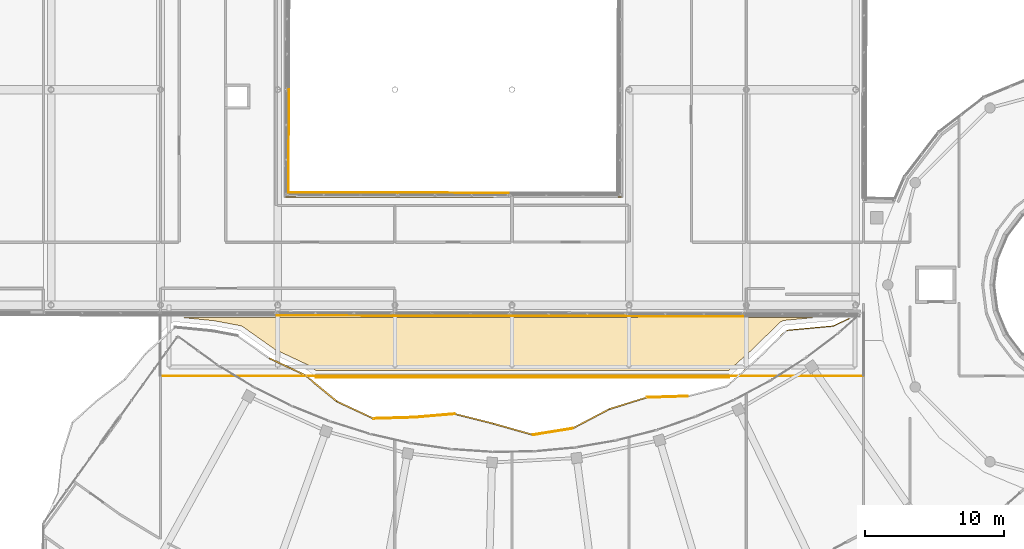
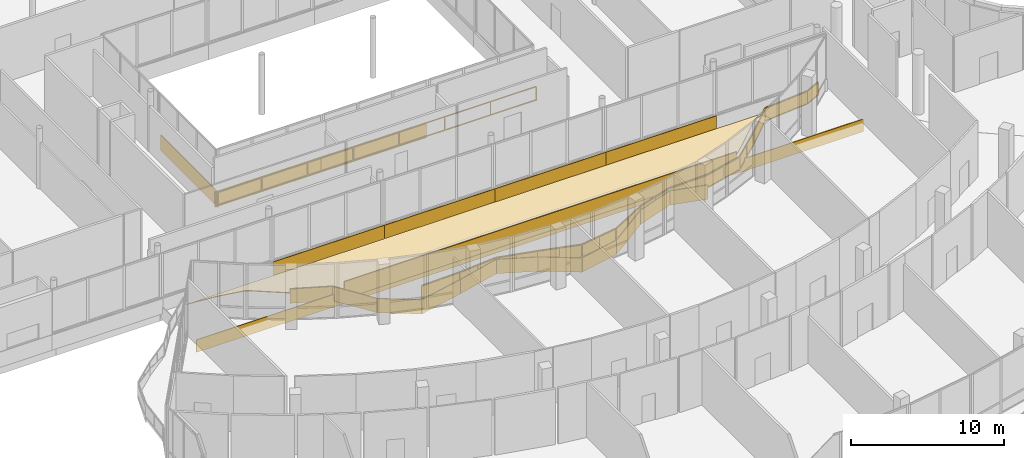
# One storey, part 157 of 168: 21 coverings, 2 railings.
"""IFC4 building model written with IfcOpenShell, lengths in metres."""

import ifcopenshell
import ifcopenshell.guid

model = None  # the IFC model being written
_history = None  # IfcOwnerHistory: only IFC2X3 demands one
_inside = {}  # id of a spatial element -> (the spatial element, [elements in it])
_under = {}  # id of a project, library or spatial element -> (it, [spatial elements below it])
_declared = {}  # id of a project -> (the project, [libraries it declares])
_typed = {}  # id of a type object -> (the type object, [elements of that type])
_made_of = {}  # id of a material, layer set ... -> (it, [elements and type objects made of it])


def new_model(schema):
    """Start an empty IFC model of exactly this schema.

    Asked for "IFC4X3", IfcOpenShell would pick the latest addendum, in which some entities
    have other attributes; the version numbers below select the first issue.
    IFC2X3 requires an IfcOwnerHistory on every rooted entity: one is made here for all.
    """
    global model, _history
    if schema == "IFC4X3":
        model = ifcopenshell.file(schema_version=(4, 3, 0, 0))
    else:
        model = ifcopenshell.file(schema=schema)
    _inside.clear()
    _under.clear()
    _declared.clear()
    _typed.clear()
    _made_of.clear()
    _history = None
    if model.schema == "IFC2X3":
        org = make("IfcOrganization", Name="unknown")
        user = make(
            "IfcPersonAndOrganization",
            ThePerson=make("IfcPerson", FamilyName="unknown"),
            TheOrganization=org,
        )
        app = make(
            "IfcApplication",
            ApplicationDeveloper=org,
            Version="unknown",
            ApplicationFullName="unknown",
            ApplicationIdentifier="unknown",
        )
        _history = make(
            "IfcOwnerHistory",
            OwningUser=user,
            OwningApplication=app,
            ChangeAction="ADDED",
            CreationDate=0,
        )
    return model


def make(cls, **values):
    """One entity of the class cls with the attributes given. An attribute that is None is left unset."""
    return model.create_entity(
        cls, **{name: value for name, value in values.items() if value is not None}
    )


def rooted(cls, **values):
    """An entity with a GlobalId (a new one), such as an element, a storey or a relation."""
    return make(cls, GlobalId=ifcopenshell.guid.new(), OwnerHistory=_history, **values)


def si_unit(unit_type, name, prefix=None):
    """IfcSIUnit, for example si_unit("LENGTHUNIT", "METRE", prefix="MILLI")."""
    return make("IfcSIUnit", UnitType=unit_type, Prefix=prefix, Name=name)


def assignment(units):
    """IfcUnitAssignment: the units of a project."""
    return None if units is None else make("IfcUnitAssignment", Units=units)


def point(xyz):
    """IfcCartesianPoint."""
    return None if xyz is None else make("IfcCartesianPoint", Coordinates=xyz)


def direction(xyz):
    """IfcDirection."""
    return None if xyz is None else make("IfcDirection", DirectionRatios=xyz)


def frame(location, z_axis=None, x_axis=None):
    """IfcAxis2Placement3D, a coordinate frame: its origin and axes. An axis left out is left unset."""
    return make(
        "IfcAxis2Placement3D",
        Location=point(location),
        Axis=direction(z_axis),
        RefDirection=direction(x_axis),
    )


def frame_2d(location, x_axis=None):
    """IfcAxis2Placement2D, a coordinate frame in the plane: its origin and x axis."""
    return make(
        "IfcAxis2Placement2D", Location=point(location), RefDirection=direction(x_axis)
    )


def origin():
    """The frame at (0, 0, 0) with its axes left unset."""
    return frame((0.0, 0.0, 0.0))


def origin_2d():
    """The frame at (0, 0) in the plane with its x axis left unset."""
    return frame_2d((0.0, 0.0))


def place(relative_to, where):
    """IfcLocalPlacement: puts the frame where relative to a parent placement (None: the world)."""
    return make(
        "IfcLocalPlacement", PlacementRelTo=relative_to, RelativePlacement=where
    )


def context(
    kind, dimensions, precision=None, world=None, true_north=None, identifier=None
):
    """IfcGeometricRepresentationContext, for example the 3D "Model" context."""
    return make(
        "IfcGeometricRepresentationContext",
        ContextIdentifier=identifier,
        ContextType=kind,
        CoordinateSpaceDimension=dimensions,
        Precision=precision,
        WorldCoordinateSystem=world,
        TrueNorth=true_north,
    )


def subcontext(parent, identifier, kind, view, scale=None):
    """IfcGeometricRepresentationSubContext, for example "Body" below "Model"."""
    return make(
        "IfcGeometricRepresentationSubContext",
        ContextIdentifier=identifier,
        ContextType=kind,
        ParentContext=parent,
        TargetScale=scale,
        TargetView=view,
    )


def project(units=None, contexts=None):
    """IfcProject with its units and contexts."""
    return rooted(
        "IfcProject",
        Name="project",
        RepresentationContexts=contexts,
        UnitsInContext=assignment(units),
    )


def spatial(cls, under=None, at=None, **own):
    """A site, building, storey or space (cls), placed at a placement, below another one or the project."""
    s = rooted(cls, ObjectPlacement=at, **own)
    if under is not None:
        _under.setdefault(under.id(), (under, []))[1].append(s)
    return s


def polyline(points):
    """IfcPolyline through the points."""
    return make("IfcPolyline", Points=[point(p) for p in points])


def profile(cls, at=None, kind="AREA", **sizes):
    """A parametric profile (cls). Its sizes go by their IFC names, for example OverallWidth=200.0."""
    return make(cls, ProfileType=kind, Position=at, **sizes)


def rectangle(**sizes):
    """IfcRectangleProfileDef."""
    return profile("IfcRectangleProfileDef", **sizes)


def outline(outer, holes=None, kind="AREA"):
    """IfcArbitraryClosedProfileDef: a profile drawn as a closed curve; with holes, ...WithVoids."""
    if holes is None:
        return make("IfcArbitraryClosedProfileDef", ProfileType=kind, OuterCurve=outer)
    return make(
        "IfcArbitraryProfileDefWithVoids",
        ProfileType=kind,
        OuterCurve=outer,
        InnerCurves=holes,
    )


def extrude(swept, where, along, depth):
    """IfcExtrudedAreaSolid: the profile swept, set in the frame where, extruded along a direction by depth."""
    return make(
        "IfcExtrudedAreaSolid",
        SweptArea=swept,
        Position=where,
        ExtrudedDirection=direction(along),
        Depth=depth,
    )


def shape(context_of_items, identifier, shape_type, items):
    """IfcShapeRepresentation: the items that make up one representation, for example the "Body"."""
    return make(
        "IfcShapeRepresentation",
        ContextOfItems=context_of_items,
        RepresentationIdentifier=identifier,
        RepresentationType=shape_type,
        Items=items,
    )


def material(Name=None, Category=None):
    """IfcMaterial."""
    return make("IfcMaterial", Name=Name, Category=Category)


def layer(
    of_material, thickness, ventilated=None, Name=None, Category=None, Priority=None
):
    """IfcMaterialLayer: one layer of a wall or slab, of a material (None: an air gap)."""
    return make(
        "IfcMaterialLayer",
        Material=of_material,
        LayerThickness=thickness,
        IsVentilated=ventilated,
        Name=Name,
        Category=Category,
        Priority=Priority,
    )


def layer_set(layers, Name=None):
    """IfcMaterialLayerSet."""
    return make("IfcMaterialLayerSet", MaterialLayers=layers, LayerSetName=Name)


def made_of(thing, what):
    """Note that an element or type object is made of a material, layer set ...; save() writes the relation."""
    if what is not None:
        _made_of.setdefault(what.id(), (what, []))[1].append(thing)
    return thing


def type_object(cls, material=None, **own):
    """A type object (cls), such as IfcWallType, which elements share."""
    return made_of(rooted(cls, **own), material)


def element(
    cls,
    number,
    at=None,
    inside=None,
    cuts=None,
    type_object=None,
    material=None,
    context=None,
    identifier="Body",
    shape_type=None,
    held_by="IfcProductDefinitionShape",
    body=None,
    shapes=None,
    **own,
):
    """One element of the class cls, such as IfcWall. Its Tag is "e" and its number.

    at: its placement. inside: the storey or other place that contains it. cuts: it is an
    opening in that element (IfcRelVoidsElement). A single representation is given by context,
    identifier, shape_type and body (its items); several are given by shapes. held_by: the class
    of the entity that holds the representations. save() writes the other relations.
    """
    e = rooted(cls, Tag="e%d" % number, ObjectPlacement=at, **own)
    if body is not None:
        shapes = [shape(context, identifier, shape_type, body)]
    if shapes is not None:
        e.Representation = make(held_by, Representations=shapes)
    if inside is not None:
        _inside.setdefault(inside.id(), (inside, []))[1].append(e)
    if cuts is not None:
        rooted(
            "IfcRelVoidsElement", RelatingBuildingElement=cuts, RelatedOpeningElement=e
        )
    if type_object is not None:
        _typed.setdefault(type_object.id(), (type_object, []))[1].append(e)
    return made_of(e, material)


def aggregate(whole, parts):
    """IfcRelAggregates: a whole, such as a stair, and the parts it consists of."""
    return rooted("IfcRelAggregates", RelatingObject=whole, RelatedObjects=parts)


def save(model, path):
    """Write the relations noted so far, then the file.

    IfcRelAggregates (storeys below a building ...), IfcRelContainedInSpatialStructure (elements
    in a storey), IfcRelDefinesByType, IfcRelAssociatesMaterial and IfcRelDeclares: one each for
    every whole, place, type object, material and project.
    """
    for whole, parts in _under.values():
        aggregate(whole, parts)
    for where, things in _inside.values():
        rooted(
            "IfcRelContainedInSpatialStructure",
            RelatedElements=things,
            RelatingStructure=where,
        )
    for kind, things in _typed.values():
        rooted("IfcRelDefinesByType", RelatedObjects=things, RelatingType=kind)
    for what, things in _made_of.values():
        rooted("IfcRelAssociatesMaterial", RelatedObjects=things, RelatingMaterial=what)
    for by, libraries in _declared.values():
        rooted("IfcRelDeclares", RelatingContext=by, RelatedDefinitions=libraries)
    model.write(path)


model = new_model("IFC4")

# Units and contexts
model_context = context("Model", 3, precision=1e-05, world=origin(), true_north=direction((0.0, 1.0)))
body_context = subcontext(model_context, "Body", "Model", "MODEL_VIEW")
ifc_project = project(units=[si_unit("LENGTHUNIT", "METRE"), si_unit("AREAUNIT", "SQUARE_METRE"), si_unit("VOLUMEUNIT", "CUBIC_METRE"), si_unit("PLANEANGLEUNIT", "RADIAN"), si_unit("MASSUNIT", "GRAM", prefix="KILO")], contexts=[model_context])

# Site, building, storey
site_placement = place(None, origin())
site = spatial("IfcSite", under=ifc_project, at=site_placement, CompositionType="ELEMENT")
building_placement = place(site_placement, origin())
building = spatial("IfcBuilding", under=site, at=building_placement, Name="Selatvlak General Hospital", CompositionType="ELEMENT")
storey_placement = place(building_placement, frame((0.0, 0.0, 5.39990234375)))
storey = spatial("IfcBuildingStorey", under=building, at=storey_placement, Name="L01", CompositionType="ELEMENT", Elevation=5.39990234375)

# Coverings
ifc_material_1 = material(Name="PVDF aluminium fascia - ochre yellow", Category="aluminium")
ifc_layer_1 = layer(ifc_material_1, 0.070068359375, Name="PVDF aluminium fascia - ochre yellow", Category="aluminium")
ifc_layer_set_1 = layer_set([ifc_layer_1], Name="PVDF aluminium fascia - ochre yellow")
covering_type_1 = type_object("IfcCoveringType", Name="COV-RB-YEL", PredefinedType="CLADDING", material=ifc_layer_set_1)
covering_1_placement = place(storey_placement, frame((69.009033203125, 46.01904296875, -0.85693359375), z_axis=(0.0, 0.0, 1.0), x_axis=(-0.999512641406, -0.031216656931, 0.0)))
element("IfcCovering", 1, at=covering_1_placement, inside=storey, type_object=covering_type_1, Name="L01 De Stijl waving fascia streamer 192", PredefinedType="CLADDING", context=body_context, shape_type="SweptSolid", body=[
    extrude(outline(polyline([(0.0, 0.0), (2.948486328125, 0.60400390625), (2.948486328125, 1.743896484375), (0.0, 1.139892578125), (0.0, 0.0)])), frame((0.0, 0.03515625, 0.0), z_axis=(0.0, -1.0, 0.0), x_axis=(1.0, 0.0, 0.0)), (0.0, 0.0, 1.0), 0.070068359375),
])
covering_2_placement = place(storey_placement, frame((66.06103515625, 45.926025390625, -0.2529296875), z_axis=(0.0, 0.0, 1.0), x_axis=(-0.955241890213, -0.295825846033, 0.0)))
element("IfcCovering", 2, at=covering_2_placement, inside=storey, type_object=covering_type_1, Name="L01 De Stijl waving fascia streamer 193", PredefinedType="CLADDING", context=body_context, shape_type="SweptSolid", body=[
    extrude(outline(polyline([(0.0, 0.0), (2.79931640625, -0.093994140625), (2.79931640625, 1.0458984375), (0.0, 1.139892578125), (0.0, 0.0)])), frame((0.0, 0.03515625, 0.0), z_axis=(0.0, -1.0, 0.0), x_axis=(1.0, 0.0, 0.0)), (0.0, 0.0, 1.0), 0.070068359375),
])
covering_3_placement = place(storey_placement, frame((63.385986328125, 45.097900390625, -0.346923828125), z_axis=(0.0, 0.0, 1.0), x_axis=(-0.884218300333, -0.46707386713, 0.0)))
element("IfcCovering", 3, at=covering_3_placement, inside=storey, type_object=covering_type_1, Name="L01 De Stijl waving fascia streamer 194", PredefinedType="CLADDING", context=body_context, shape_type="SweptSolid", body=[
    extrude(outline(polyline([(0.0, 0.0), (2.977783203125, -0.638916015625), (2.977783203125, 0.5009765625), (0.0, 1.139892578125), (0.0, 0.0)])), frame((0.0, 0.03515625, 0.0), z_axis=(0.0, -1.0, 0.0), x_axis=(1.0, 0.0, 0.0)), (0.0, 0.0, 1.0), 0.070068359375),
])
covering_4_placement = place(storey_placement, frame((60.7509765625, 43.70703125, -0.98583984375), z_axis=(0.0, 0.0, 1.0), x_axis=(-0.987091737482, -0.160155867191, 0.0)))
element("IfcCovering", 4, at=covering_4_placement, inside=storey, type_object=covering_type_1, Name="L01 De Stijl waving fascia streamer 195", PredefinedType="CLADDING", context=body_context, shape_type="SweptSolid", body=[
    extrude(outline(polyline([(0.0, 0.0), (2.884033203125, -0.13818359375), (2.884033203125, 1.001708984375), (0.0, 1.139892578125), (0.0, 0.0)])), frame((0.0, 0.03515625, 0.0), z_axis=(0.0, -1.0, 0.0), x_axis=(1.0, 0.0, 0.0)), (0.0, 0.0, 1.0), 0.070068359375),
])
covering_5_placement = place(storey_placement, frame((57.903076171875, 43.2451171875, -1.1240234375), z_axis=(0.0, 0.0, 1.0), x_axis=(-0.962150784745, 0.272517646059, 0.0)))
element("IfcCovering", 5, at=covering_5_placement, inside=storey, type_object=covering_type_1, Name="L01 De Stijl waving fascia streamer 196", PredefinedType="CLADDING", context=body_context, shape_type="SweptSolid", body=[
    extrude(outline(polyline([(0.0, 0.0), (2.9716796875, 0.588134765625), (2.9716796875, 1.72802734375), (0.0, 1.139892578125), (0.0, 0.0)])), frame((0.0, 0.03515625, 0.0), z_axis=(0.0, -1.0, 0.0), x_axis=(1.0, 0.0, 0.0)), (0.0, 0.0, 1.0), 0.070068359375),
])
covering_6_placement = place(storey_placement, frame((55.04296875, 44.054931640625, -0.535888671875), z_axis=(0.0, 0.0, 1.0), x_axis=(-0.969783041631, 0.24396895738, 0.0)))
element("IfcCovering", 6, at=covering_6_placement, inside=storey, type_object=covering_type_1, Name="L01 De Stijl waving fascia streamer 197", PredefinedType="CLADDING", context=body_context, shape_type="SweptSolid", body=[
    extrude(outline(polyline([(0.0, 0.0), (2.844970703125, 0.35302734375), (2.844970703125, 1.492919921875), (0.0, 1.139892578125), (0.0, 0.0)])), frame((0.0, 0.03515625, 0.0), z_axis=(0.0, -1.0, 0.0), x_axis=(1.0, 0.0, 0.0)), (0.0, 0.0, 1.0), 0.070068359375),
])
covering_7_placement = place(storey_placement, frame((52.282958984375, 44.7490234375, -0.182861328125), z_axis=(0.0, 0.0, 1.0), x_axis=(-0.996314641076, -0.085773748768, 0.0)))
element("IfcCovering", 7, at=covering_7_placement, inside=storey, type_object=covering_type_1, Name="L01 De Stijl waving fascia streamer 198", PredefinedType="CLADDING", context=body_context, shape_type="SweptSolid", body=[
    extrude(outline(polyline([(0.0, 0.0), (2.88037109375, -0.4599609375), (2.88037109375, 0.679931640625), (0.0, 1.139892578125), (0.0, 0.0)])), frame((0.0, 0.03515625, 0.0), z_axis=(0.0, -1.0, 0.0), x_axis=(1.0, 0.0, 0.0)), (0.0, 0.0, 1.0), 0.070068359375),
])
covering_8_placement = place(storey_placement, frame((49.412109375, 44.501953125, -0.642822265625), z_axis=(0.0, 0.0, 1.0), x_axis=(-0.999547824126, -0.030069041982, 0.0)))
element("IfcCovering", 8, at=covering_8_placement, inside=storey, type_object=covering_type_1, Name="L01 De Stijl waving fascia streamer 199", PredefinedType="CLADDING", context=body_context, shape_type="SweptSolid", body=[
    extrude(outline(polyline([(0.0, 0.0), (2.955322265625, -0.52099609375), (2.955322265625, 0.618896484375), (0.0, 1.139892578125), (0.0, 0.0)])), frame((0.0, 0.03515625, 0.0), z_axis=(0.0, -1.0, 0.0), x_axis=(1.0, 0.0, 0.0)), (0.0, 0.0, 1.0), 0.070068359375),
])
covering_9_placement = place(storey_placement, frame((46.4560546875, 44.4140625, -1.163818359375), z_axis=(0.0, 0.0, 1.0), x_axis=(-0.904677597046, 0.426096755916, 0.0)))
element("IfcCovering", 9, at=covering_9_placement, inside=storey, type_object=covering_type_1, Name="L01 De Stijl waving fascia streamer 200", PredefinedType="CLADDING", context=body_context, shape_type="SweptSolid", body=[
    extrude(outline(polyline([(0.0, 0.0), (2.902587890625, 0.27099609375), (2.902587890625, 1.410888671875), (0.0, 1.139892578125), (0.0, 0.0)])), frame((0.0, 0.03515625, 0.0), z_axis=(0.0, -1.0, 0.0), x_axis=(1.0, 0.0, 0.0)), (0.0, 0.0, 1.0), 0.070068359375),
])
covering_10_placement = place(storey_placement, frame((43.8291015625, 45.65087890625, -0.892822265625), z_axis=(0.0, 0.0, 1.0), x_axis=(-0.77114655463, 0.636657671973, 0.0)))
element("IfcCovering", 10, at=covering_10_placement, inside=storey, type_object=covering_type_1, Name="L01 De Stijl waving fascia streamer 201", PredefinedType="CLADDING", context=body_context, shape_type="SweptSolid", body=[
    extrude(outline(polyline([(0.0, 0.0), (2.960693359375, 0.618896484375), (2.960693359375, 1.7587890625), (0.0, 1.139892578125), (0.0, 0.0)])), frame((0.0, 0.03515625, 0.0), z_axis=(0.0, -1.0, 0.0), x_axis=(1.0, 0.0, 0.0)), (0.0, 0.0, 1.0), 0.070068359375),
])
covering_11_placement = place(storey_placement, frame((41.544921875, 47.537109375, -0.27392578125), z_axis=(0.0, 0.0, 1.0), x_axis=(-0.904441779007, 0.426597079675, 0.0)))
element("IfcCovering", 11, at=covering_11_placement, inside=storey, type_object=covering_type_1, Name="L01 De Stijl waving fascia streamer 202", PredefinedType="CLADDING", context=body_context, shape_type="SweptSolid", body=[
    extrude(outline(polyline([(0.0, 0.0), (2.791748046875, -0.044921875), (2.791748046875, 1.094970703125), (0.0, 1.139892578125), (0.0, 0.0)])), frame((0.0, 0.03515625, 0.0), z_axis=(0.0, -1.0, 0.0), x_axis=(1.0, 0.0, 0.0)), (0.0, 0.0, 1.0), 0.070068359375),
])
ifc_material_2 = material(Name="Insulated TPO roofing membrane")
ifc_layer_2 = layer(ifc_material_2, 0.06005859375, Name="Insulated TPO roofing membrane")
ifc_layer_set_2 = layer_set([ifc_layer_2], Name="Insulated TPO roofing membrane")
covering_type_2 = type_object("IfcCoveringType", Name="COV-RF1", PredefinedType="ROOFING", material=ifc_layer_set_2)
covering_12_placement = place(storey_placement, frame((0.0, 0.0, -0.079833984375)))
element("IfcCovering", 12, at=covering_12_placement, inside=storey, type_object=covering_type_2, Name="L01 insulated TPO roof membrane 02", PredefinedType="ROOFING", context=body_context, shape_type="SweptSolid", body=[
    extrude(outline(polyline([(32.873046875, 51.64208984375), (77.9541015625, 51.64208984375), (76.00390625, 51.4599609375), (75.951904296875, 51.4541015625), (75.912109375, 51.446044921875), (75.876953125, 51.43701171875), (75.85009765625, 51.428955078125), (75.81494140625, 51.4169921875), (75.7880859375, 51.406005859375), (75.75390625, 51.39111328125), (75.7119140625, 51.368896484375), (75.680908203125, 51.35009765625), (75.6630859375, 51.339111328125), (75.633056640625, 51.318115234375), (75.60107421875, 51.2919921875), (75.572998046875, 51.26708984375), (73.51611328125, 49.26708984375), (71.93603515625, 47.85009765625), (42.3349609375, 47.85009765625), (42.01708984375, 48.113037109375), (41.98095703125, 48.14111328125), (41.955078125, 48.157958984375), (41.927978515625, 48.175048828125), (41.906982421875, 48.18798828125), (41.87890625, 48.202880859375), (39.39599609375, 49.373046875), (37.152099609375, 50.9609375), (37.10595703125, 50.990966796875), (37.069091796875, 51.011962890625), (37.031982421875, 51.030029296875), (37.0, 51.04296875), (36.9619140625, 51.056884765625), (36.91796875, 51.070068359375), (36.8779296875, 51.0791015625), (35.068115234375, 51.4208984375), (35.02490234375, 51.427978515625), (32.873046875, 51.64208984375)])), origin(), (0.0, 0.0, 1.0), 0.059814453125),
])
ifc_material_3 = material(Name="White Bauhaus fair-faced cladding panel")
ifc_layer_3 = layer(ifc_material_3, 0.054931640625, Name="White Bauhaus fair-faced cladding panel")
ifc_layer_set_3 = layer_set([ifc_layer_3], Name="White Bauhaus fair-faced cladding panel")
covering_type_3 = type_object("IfcCoveringType", Name="COV-WHT1", PredefinedType="CLADDING", material=ifc_layer_set_3)
for number, where, z_axis, x_axis, name in (
    (13, (68.799072265625, 51.7529296875, -0.27978515625), (0.0, 0.0, 1.0), (-0.999998384157, 0.001797688161, 0.0), "L01 Bauhaus horizontal white spandrel band 0079"),
    (14, (60.43701171875, 51.76806640625, -0.27978515625), (0.0, 0.0, 1.0), (-0.999998384157, 0.001797688161, 0.0), "L01 Bauhaus horizontal white spandrel band 0080"),
):
    element("IfcCovering", number, at=place(storey_placement, frame(where, z_axis=z_axis, x_axis=x_axis)), inside=storey, type_object=covering_type_3, Name=name, PredefinedType="CLADDING", context=body_context, shape_type="SweptSolid", body=[
        extrude(rectangle(XDim=8.362060546875, YDim=0.054931640625, at=origin_2d()), origin(), (0.0, 0.0, 1.0), 1.219970703125),
    ])
covering_13_placement = place(storey_placement, frame((52.074951171875, 51.782958984375, -0.27978515625), z_axis=(0.0, 0.0, 1.0), x_axis=(-0.999998384157, 0.001797688161, 0.0)))
element("IfcCovering", 15, at=covering_13_placement, inside=storey, type_object=covering_type_3, Name="L01 Bauhaus horizontal white spandrel band 0081", PredefinedType="CLADDING", context=body_context, shape_type="SweptSolid", body=[
    extrude(rectangle(XDim=8.361083984375, YDim=0.054931640625, at=origin_2d()), origin(), (0.0, 0.0, 1.0), 1.219970703125),
])
covering_14_placement = place(storey_placement, frame((43.714111328125, 51.798095703125, -0.27978515625), z_axis=(0.0, 0.0, 1.0), x_axis=(-0.999998384157, 0.001797688161, 0.0)))
element("IfcCovering", 16, at=covering_14_placement, inside=storey, type_object=covering_type_3, Name="L01 Bauhaus horizontal white spandrel band 0082", PredefinedType="CLADDING", context=body_context, shape_type="SweptSolid", body=[
    extrude(rectangle(XDim=8.362060546875, YDim=0.054931640625, at=origin_2d()), origin(), (0.0, 0.0, 1.0), 1.219970703125),
])
covering_15_placement = place(storey_placement, frame((40.3798828125, 64.243896484375, -0.27978515625), z_axis=(0.0, 0.0, 1.0), x_axis=(-0.003961887037, -0.999992151695, 0.0)))
element("IfcCovering", 17, at=covering_15_placement, inside=storey, type_object=covering_type_3, Name="L01 Bauhaus horizontal white spandrel band 0125", PredefinedType="CLADDING", context=body_context, shape_type="SweptSolid", body=[
    extrude(rectangle(XDim=7.570068359375, YDim=0.054931640625, at=origin_2d()), origin(), (0.0, 0.0, 1.0), 1.219970703125),
])
for number, where, z_axis, x_axis, name in (
    (18, (44.18994140625, 60.614990234375, -0.27978515625), (0.0, 0.0, 1.0), (0.999996841728, -0.002513271477, 0.0), "L01 Bauhaus horizontal white spandrel band 0126"),
    (19, (52.169921875, 60.594970703125, -0.27978515625), (0.0, 0.0, 1.0), (0.999996841728, -0.002513271477, 0.0), "L01 Bauhaus horizontal white spandrel band 0127"),
):
    element("IfcCovering", number, at=place(storey_placement, frame(where, z_axis=z_axis, x_axis=x_axis)), inside=storey, type_object=covering_type_3, Name=name, PredefinedType="CLADDING", context=body_context, shape_type="SweptSolid", body=[
        extrude(rectangle(XDim=7.97998046875, YDim=0.054931640625, at=origin_2d()), origin(), (0.0, 0.0, 1.0), 1.219970703125),
    ])
covering_16_placement = place(storey_placement, frame((56.39990234375, 47.469970703125, -0.75), z_axis=(0.0, 0.0, 1.0), x_axis=(1.0, 0.0, 0.0)))
element("IfcCovering", 20, at=covering_16_placement, inside=storey, type_object=covering_type_3, Name="L01 Main hall colonnade fascia S 0582", PredefinedType="CLADDING", context=body_context, shape_type="SweptSolid", body=[
    extrude(rectangle(XDim=50.39990234375, YDim=0.054931640625, at=origin_2d()), origin(), (0.0, 0.0, 1.0), 1.0),
])
covering_17_placement = place(storey_placement, frame((57.14208984375, 47.364990234375, -0.300048828125), z_axis=(0.0, 0.0, 1.0), x_axis=(-1.0, 0.0, 0.0)))
element("IfcCovering", 21, at=covering_17_placement, inside=storey, type_object=covering_type_3, Name="L01 Roof parapet white Bauhaus coping 0616", PredefinedType="CLADDING", context=body_context, shape_type="SweptSolid", body=[
    extrude(rectangle(XDim=29.64599609375, YDim=0.054931640625, at=origin_2d()), origin(), (0.0, 0.0, 1.0), 1.3701171875),
])

# Railings
ifc_material_4 = material(Name="Stainless steel 316 atrium guard", Category="steel")
railing_type_1 = type_object("IfcRailingType", Name="RAIL-ATR", PredefinedType="GUARDRAIL", material=ifc_material_4)
railing_1_placement = place(storey_placement, frame((40.10009765625, 60.300048828125, 0.0)))
element("IfcRailing", 22, at=railing_1_placement, inside=storey, type_object=railing_type_1, Name="L01 main concourse hall atrium void guard S", PredefinedType="GUARDRAIL", context=body_context, shape_type="SweptSolid", body=[
    extrude(rectangle(XDim=0.068115234375, YDim=0.068115234375, at=origin_2d()), frame((0.0029296875, 0.0, 1.11572265625), z_axis=(1.0, 0.0, 0.0), x_axis=(0.0, 1.0, 0.0)), (0.0, 0.0, 1.0), 24.18994140625),
    extrude(rectangle(XDim=0.068115234375, YDim=0.068115234375, at=origin_2d()), frame((0.0029296875, 0.0, 0.049072265625), z_axis=(1.0, 0.0, 0.0), x_axis=(0.0, 1.0, 0.0)), (0.0, 0.0, 1.0), 24.18994140625),
    extrude(rectangle(XDim=0.055908203125, YDim=0.055908203125, at=origin_2d()), origin(), (0.0, 0.0, 1.0), 1.078857421875),
    extrude(rectangle(XDim=0.055908203125, YDim=0.055908203125, at=origin_2d()), frame((3.45654296875, 0.0, 0.0)), (0.0, 0.0, 1.0), 1.078857421875),
    extrude(rectangle(XDim=0.055908203125, YDim=0.055908203125, at=origin_2d()), frame((6.9130859375, 0.0, 0.0)), (0.0, 0.0, 1.0), 1.078857421875),
    extrude(rectangle(XDim=0.055908203125, YDim=0.055908203125, at=origin_2d()), frame((10.36962890625, 0.0, 0.0)), (0.0, 0.0, 1.0), 1.078857421875),
    extrude(rectangle(XDim=0.055908203125, YDim=0.055908203125, at=origin_2d()), frame((13.826171875, 0.0, 0.0)), (0.0, 0.0, 1.0), 1.078857421875),
    extrude(rectangle(XDim=0.055908203125, YDim=0.055908203125, at=origin_2d()), frame((17.28271484375, 0.0, 0.0)), (0.0, 0.0, 1.0), 1.078857421875),
    extrude(rectangle(XDim=0.055908203125, YDim=0.055908203125, at=origin_2d()), frame((20.7392578125, 0.0, 0.0)), (0.0, 0.0, 1.0), 1.078857421875),
    extrude(rectangle(XDim=0.055908203125, YDim=0.055908203125, at=origin_2d()), frame((24.19580078125, 0.0, 0.0)), (0.0, 0.0, 1.0), 1.078857421875),
])
ifc_material_5 = material(Name="Stainless steel 316 safety balustrade", Category="steel")
railing_type_2 = type_object("IfcRailingType", Name="RAIL-BAL1", PredefinedType="BALUSTRADE", material=ifc_material_5)
railing_2_placement = place(storey_placement, frame((46.4609375, 44.427978515625, 0.0)))
element("IfcRailing", 23, at=railing_2_placement, inside=storey, type_object=railing_type_2, Name="L01 continuous curved balcony balustrade 0010", PredefinedType="BALUSTRADE", context=body_context, shape_type="SweptSolid", body=[
    extrude(rectangle(XDim=0.068115234375, YDim=0.068115234375, at=origin_2d()), frame((0.0029296875, 0.0, 1.0859375), z_axis=(0.999545337927, 0.030151574243, 0.0), x_axis=(-0.030151574243, 0.999545337927, 0.0)), (0.0, 0.0, 1.0), 2.94970703125),
    extrude(rectangle(XDim=0.068115234375, YDim=0.068115234375, at=origin_2d()), frame((0.0029296875, 0.0, 0.049072265625), z_axis=(0.999545337927, 0.030151574243, 0.0), x_axis=(-0.030151574243, 0.999545337927, 0.0)), (0.0, 0.0, 1.0), 2.94970703125),
    extrude(outline(polyline([(0.0, 0.0), (2.943359375, 0.0), (2.943359375, 0.94189453125), (0.0, 0.94189453125), (0.0, 0.0)])), frame((0.00537109375, 0.01806640625, 0.0849609375), z_axis=(0.030151574243, -0.999545337927, 0.0), x_axis=(0.999545337927, 0.030151574243, 0.0)), (0.0, 0.0, 1.0), 0.031982421875),
    extrude(rectangle(XDim=0.068115234375, YDim=0.068115234375, at=origin_2d()), frame((2.95703125, 0.08935546875, 1.0859375), z_axis=(0.996321880681, 0.085689614749, 0.0), x_axis=(-0.085689614749, 0.996321880681, 0.0)), (0.0, 0.0, 1.0), 2.87451171875),
    extrude(rectangle(XDim=0.068115234375, YDim=0.068115234375, at=origin_2d()), frame((2.95703125, 0.08935546875, 0.049072265625), z_axis=(0.996321880681, 0.085689614749, 0.0), x_axis=(-0.085689614749, 0.996321880681, 0.0)), (0.0, 0.0, 1.0), 2.87451171875),
    extrude(outline(polyline([(0.0, 0.0), (2.868408203125, 0.0), (2.868408203125, 0.94189453125), (0.0, 0.94189453125), (0.0, 0.0)])), frame((2.95849609375, 0.107666015625, 0.0849609375), z_axis=(0.085689614749, -0.996321880681, 0.0), x_axis=(0.996321880681, 0.085689614749, 0.0)), (0.0, 0.0, 1.0), 0.031982421875),
    extrude(rectangle(XDim=0.068115234375, YDim=0.068115234375, at=origin_2d()), frame((5.826904296875, 0.335205078125, 1.0859375), z_axis=(0.969803342008, -0.243888248649, 0.0), x_axis=(0.243888248649, 0.969803342008, 0.0)), (0.0, 0.0, 1.0), 2.839111328125),
    extrude(rectangle(XDim=0.068115234375, YDim=0.068115234375, at=origin_2d()), frame((5.826904296875, 0.335205078125, 0.049072265625), z_axis=(0.969803342008, -0.243888248649, 0.0), x_axis=(0.243888248649, 0.969803342008, 0.0)), (0.0, 0.0, 1.0), 2.839111328125),
    extrude(outline(polyline([(0.0, 0.0), (2.8330078125, 0.0), (2.8330078125, 0.94189453125), (0.0, 0.94189453125), (0.0, 0.0)])), frame((5.834228515625, 0.35205078125, 0.0849609375), z_axis=(-0.243888248649, -0.969803342008, 0.0), x_axis=(0.969803342008, -0.243888248649, 0.0)), (0.0, 0.0, 1.0), 0.031982421875),
    extrude(rectangle(XDim=0.068115234375, YDim=0.068115234375, at=origin_2d()), frame((8.5859375, -0.358642578125, 1.0859375), z_axis=(0.962129240177, -0.272593699847, 0.0), x_axis=(0.272593699847, 0.962129240177, 0.0)), (0.0, 0.0, 1.0), 2.9658203125),
    extrude(rectangle(XDim=0.068115234375, YDim=0.068115234375, at=origin_2d()), frame((8.5859375, -0.358642578125, 0.049072265625), z_axis=(0.962129240177, -0.272593699847, 0.0), x_axis=(0.272593699847, 0.962129240177, 0.0)), (0.0, 0.0, 1.0), 2.9658203125),
    extrude(outline(polyline([(0.0, 0.0), (2.959716796875, 0.0), (2.959716796875, 0.94189453125), (0.0, 0.94189453125), (0.0, 0.0)])), frame((8.59375, -0.34228515625, 0.0849609375), z_axis=(-0.272593699847, -0.962129240177, 0.0), x_axis=(0.962129240177, -0.272593699847, 0.0)), (0.0, 0.0, 1.0), 0.031982421875),
    extrude(rectangle(XDim=0.068115234375, YDim=0.068115234375, at=origin_2d()), frame((11.445068359375, -1.16748046875, 1.0859375), z_axis=(0.987091737482, 0.160155867191, 0.0), x_axis=(-0.160155867191, 0.987091737482, 0.0)), (0.0, 0.0, 1.0), 2.878173828125),
    extrude(rectangle(XDim=0.068115234375, YDim=0.068115234375, at=origin_2d()), frame((11.445068359375, -1.16748046875, 0.049072265625), z_axis=(0.987091737482, 0.160155867191, 0.0), x_axis=(-0.160155867191, 0.987091737482, 0.0)), (0.0, 0.0, 1.0), 2.878173828125),
    extrude(outline(polyline([(0.0, 0.0), (2.8720703125, 0.0), (2.8720703125, 0.94189453125), (0.0, 0.94189453125), (0.0, 0.0)])), frame((11.445068359375, -1.149169921875, 0.0849609375), z_axis=(0.160155867191, -0.987091737482, 0.0), x_axis=(0.987091737482, 0.160155867191, 0.0)), (0.0, 0.0, 1.0), 0.031982421875),
    extrude(rectangle(XDim=0.068115234375, YDim=0.068115234375, at=origin_2d()), frame((14.291748046875, -0.70458984375, 1.0859375), z_axis=(0.884184439504, 0.467137963495, 0.0), x_axis=(-0.467137963495, 0.884184439504, 0.0)), (0.0, 0.0, 1.0), 2.97216796875),
    extrude(rectangle(XDim=0.068115234375, YDim=0.068115234375, at=origin_2d()), frame((14.291748046875, -0.70458984375, 0.049072265625), z_axis=(0.884184439504, 0.467137963495, 0.0), x_axis=(-0.467137963495, 0.884184439504, 0.0)), (0.0, 0.0, 1.0), 2.97216796875),
    extrude(outline(polyline([(0.0, 0.0), (2.966064453125, 0.0), (2.966064453125, 0.94189453125), (0.0, 0.94189453125), (0.0, 0.0)])), frame((14.285888671875, -0.687255859375, 0.0849609375), z_axis=(0.467137963495, -0.884184439504, 0.0), x_axis=(0.884184439504, 0.467137963495, 0.0)), (0.0, 0.0, 1.0), 0.031982421875),
    extrude(rectangle(XDim=0.068115234375, YDim=0.068115234375, at=origin_2d()), frame((16.9248046875, 0.68603515625, 1.0859375), z_axis=(0.955258903294, 0.295770904042, 0.0), x_axis=(-0.295770904042, 0.955258903294, 0.0)), (0.0, 0.0, 1.0), 2.793212890625),
    extrude(rectangle(XDim=0.068115234375, YDim=0.068115234375, at=origin_2d()), frame((16.9248046875, 0.68603515625, 0.049072265625), z_axis=(0.955258903294, 0.295770904042, 0.0), x_axis=(-0.295770904042, 0.955258903294, 0.0)), (0.0, 0.0, 1.0), 2.793212890625),
    extrude(outline(polyline([(0.0, 0.0), (2.787109375, 0.0), (2.787109375, 0.94189453125), (0.0, 0.94189453125), (0.0, 0.0)])), frame((16.922607421875, 0.7041015625, 0.0849609375), z_axis=(0.295770904042, -0.955258903294, 0.0), x_axis=(0.955258903294, 0.295770904042, 0.0)), (0.0, 0.0, 1.0), 0.031982421875),
    extrude(rectangle(XDim=0.068115234375, YDim=0.068115234375, at=origin_2d()), frame((19.598876953125, 1.512939453125, 1.0859375), z_axis=(0.999512641406, 0.031216656931, 0.0), x_axis=(-0.031216656931, 0.999512641406, 0.0)), (0.0, 0.0, 1.0), 2.942626953125),
    extrude(rectangle(XDim=0.068115234375, YDim=0.068115234375, at=origin_2d()), frame((19.598876953125, 1.512939453125, 0.049072265625), z_axis=(0.999512641406, 0.031216656931, 0.0), x_axis=(-0.031216656931, 0.999512641406, 0.0)), (0.0, 0.0, 1.0), 2.942626953125),
    extrude(outline(polyline([(0.0, 0.0), (2.9365234375, 0.0), (2.9365234375, 0.94189453125), (0.0, 0.94189453125), (0.0, 0.0)])), frame((19.601318359375, 1.531005859375, 0.0849609375), z_axis=(0.031216656931, -0.999512641406, 0.0), x_axis=(0.999512641406, 0.031216656931, 0.0)), (0.0, 0.0, 1.0), 0.031982421875),
    extrude(rectangle(XDim=0.068115234375, YDim=0.068115234375, at=origin_2d()), frame((22.5458984375, 1.605712890625, 1.0859375), z_axis=(0.967939427792, 0.251183725837, 0.0), x_axis=(-0.251183725837, 0.967939427792, 0.0)), (0.0, 0.0, 1.0), 2.900390625),
    extrude(rectangle(XDim=0.068115234375, YDim=0.068115234375, at=origin_2d()), frame((22.5458984375, 1.605712890625, 0.049072265625), z_axis=(0.967939427792, 0.251183725837, 0.0), x_axis=(-0.251183725837, 0.967939427792, 0.0)), (0.0, 0.0, 1.0), 2.900390625),
    extrude(outline(polyline([(0.0, 0.0), (2.89404296875, 0.0), (2.89404296875, 0.94189453125), (0.0, 0.94189453125), (0.0, 0.0)])), frame((22.544189453125, 1.6240234375, 0.0849609375), z_axis=(0.251183725837, -0.967939427792, 0.0), x_axis=(0.967939427792, 0.251183725837, 0.0)), (0.0, 0.0, 1.0), 0.031982421875),
    extrude(rectangle(XDim=0.068115234375, YDim=0.068115234375, at=origin_2d()), frame((25.358154296875, 2.3369140625, 1.0859375), z_axis=(0.744531153408, 0.667587718285, 0.0), x_axis=(-0.667587718285, 0.744531153408, 0.0)), (0.0, 0.0, 1.0), 2.945068359375),
    extrude(rectangle(XDim=0.068115234375, YDim=0.068115234375, at=origin_2d()), frame((25.358154296875, 2.3369140625, 0.049072265625), z_axis=(0.744531153408, 0.667587718285, 0.0), x_axis=(-0.667587718285, 0.744531153408, 0.0)), (0.0, 0.0, 1.0), 2.945068359375),
    extrude(outline(polyline([(0.0, 0.0), (2.93896484375, 0.0), (2.93896484375, 0.94189453125), (0.0, 0.94189453125), (0.0, 0.0)])), frame((25.348388671875, 2.352294921875, 0.0849609375), z_axis=(0.667587718285, -0.744531153408, 0.0), x_axis=(0.744531153408, 0.667587718285, 0.0)), (0.0, 0.0, 1.0), 0.031982421875),
    extrude(rectangle(XDim=0.068115234375, YDim=0.068115234375, at=origin_2d()), frame((27.55517578125, 4.306884765625, 1.0859375), z_axis=(0.716822456802, 0.697255738897, 0.0), x_axis=(-0.697255738897, 0.716822456802, 0.0)), (0.0, 0.0, 1.0), 2.864013671875),
    extrude(rectangle(XDim=0.068115234375, YDim=0.068115234375, at=origin_2d()), frame((27.55517578125, 4.306884765625, 0.049072265625), z_axis=(0.716822456802, 0.697255738897, 0.0), x_axis=(-0.697255738897, 0.716822456802, 0.0)), (0.0, 0.0, 1.0), 2.864013671875),
    extrude(outline(polyline([(0.0, 0.0), (2.85791015625, 0.0), (2.85791015625, 0.94189453125), (0.0, 0.94189453125), (0.0, 0.0)])), frame((27.544677734375, 4.322021484375, 0.0849609375), z_axis=(0.697255738897, -0.716822456802, 0.0), x_axis=(0.716822456802, 0.697255738897, 0.0)), (0.0, 0.0, 1.0), 0.031982421875),
    extrude(rectangle(XDim=0.068115234375, YDim=0.068115234375, at=origin_2d()), frame((29.613037109375, 6.30615234375, 1.0859375), z_axis=(0.995703391368, 0.092599980656, 0.0), x_axis=(-0.092599980656, 0.995703391368, 0.0)), (0.0, 0.0, 1.0), 3.363525390625),
    extrude(rectangle(XDim=0.068115234375, YDim=0.068115234375, at=origin_2d()), frame((29.613037109375, 6.30615234375, 0.049072265625), z_axis=(0.995703391368, 0.092599980656, 0.0), x_axis=(-0.092599980656, 0.995703391368, 0.0)), (0.0, 0.0, 1.0), 3.363525390625),
    extrude(outline(polyline([(0.0, 0.0), (3.357421875, 0.0), (3.357421875, 0.94189453125), (0.0, 0.94189453125), (0.0, 0.0)])), frame((29.614501953125, 6.324462890625, 0.0849609375), z_axis=(0.092599980656, -0.995703391368, 0.0), x_axis=(0.995703391368, 0.092599980656, 0.0)), (0.0, 0.0, 1.0), 0.031982421875),
    extrude(rectangle(XDim=0.068115234375, YDim=0.068115234375, at=origin_2d()), frame((32.9677734375, 6.619140625, 1.0859375), z_axis=(0.905463561282, 0.424424008734, 0.0), x_axis=(-0.424424008734, 0.905463561282, 0.0)), (0.0, 0.0, 1.0), 1.261962890625),
    extrude(rectangle(XDim=0.068115234375, YDim=0.068115234375, at=origin_2d()), frame((32.9677734375, 6.619140625, 0.049072265625), z_axis=(0.905463561282, 0.424424008734, 0.0), x_axis=(-0.424424008734, 0.905463561282, 0.0)), (0.0, 0.0, 1.0), 1.261962890625),
    extrude(outline(polyline([(0.0, 0.0), (1.255859375, 0.0), (1.255859375, 0.94189453125), (0.0, 0.94189453125), (0.0, 0.0)])), frame((32.962890625, 6.63671875, 0.0849609375), z_axis=(0.424424008734, -0.905463561282, 0.0), x_axis=(0.905463561282, 0.424424008734, 0.0)), (0.0, 0.0, 1.0), 0.031982421875),
    extrude(rectangle(XDim=0.055908203125, YDim=0.055908203125, at=origin_2d()), origin(), (0.0, 0.0, 1.0), 1.049072265625),
    extrude(rectangle(XDim=0.055908203125, YDim=0.055908203125, at=origin_2d()), frame((1.47705078125, 0.04443359375, 0.0)), (0.0, 0.0, 1.0), 1.049072265625),
    extrude(rectangle(XDim=0.055908203125, YDim=0.055908203125, at=origin_2d()), frame((2.9541015625, 0.089111328125, 0.0)), (0.0, 0.0, 1.0), 1.049072265625),
    extrude(rectangle(XDim=0.055908203125, YDim=0.055908203125, at=origin_2d()), frame((4.38916015625, 0.21240234375, 0.0)), (0.0, 0.0, 1.0), 1.049072265625),
    extrude(rectangle(XDim=0.055908203125, YDim=0.055908203125, at=origin_2d()), frame((5.823974609375, 0.3359375, 0.0)), (0.0, 0.0, 1.0), 1.049072265625),
    extrude(rectangle(XDim=0.055908203125, YDim=0.055908203125, at=origin_2d()), frame((7.20361328125, -0.010986328125, 0.0)), (0.0, 0.0, 1.0), 1.049072265625),
    extrude(rectangle(XDim=0.055908203125, YDim=0.055908203125, at=origin_2d()), frame((8.5830078125, -0.35791015625, 0.0)), (0.0, 0.0, 1.0), 1.049072265625),
    extrude(rectangle(XDim=0.055908203125, YDim=0.055908203125, at=origin_2d()), frame((10.0126953125, -0.762939453125, 0.0)), (0.0, 0.0, 1.0), 1.049072265625),
    extrude(rectangle(XDim=0.055908203125, YDim=0.055908203125, at=origin_2d()), frame((11.442138671875, -1.16796875, 0.0)), (0.0, 0.0, 1.0), 1.049072265625),
    extrude(rectangle(XDim=0.055908203125, YDim=0.055908203125, at=origin_2d()), frame((12.86572265625, -0.93701171875, 0.0)), (0.0, 0.0, 1.0), 1.049072265625),
    extrude(rectangle(XDim=0.055908203125, YDim=0.055908203125, at=origin_2d()), frame((14.2890625, -0.7060546875, 0.0)), (0.0, 0.0, 1.0), 1.049072265625),
    extrude(rectangle(XDim=0.055908203125, YDim=0.055908203125, at=origin_2d()), frame((15.60546875, -0.010498046875, 0.0)), (0.0, 0.0, 1.0), 1.049072265625),
    extrude(rectangle(XDim=0.055908203125, YDim=0.055908203125, at=origin_2d()), frame((16.922119140625, 0.68505859375, 0.0)), (0.0, 0.0, 1.0), 1.049072265625),
    extrude(rectangle(XDim=0.055908203125, YDim=0.055908203125, at=origin_2d()), frame((18.259033203125, 1.09912109375, 0.0)), (0.0, 0.0, 1.0), 1.049072265625),
    extrude(rectangle(XDim=0.055908203125, YDim=0.055908203125, at=origin_2d()), frame((19.595947265625, 1.512939453125, 0.0)), (0.0, 0.0, 1.0), 1.049072265625),
    extrude(rectangle(XDim=0.055908203125, YDim=0.055908203125, at=origin_2d()), frame((21.0693359375, 1.55908203125, 0.0)), (0.0, 0.0, 1.0), 1.049072265625),
    extrude(rectangle(XDim=0.055908203125, YDim=0.055908203125, at=origin_2d()), frame((22.54296875, 1.60498046875, 0.0)), (0.0, 0.0, 1.0), 1.049072265625),
    extrude(rectangle(XDim=0.055908203125, YDim=0.055908203125, at=origin_2d()), frame((23.949462890625, 1.969970703125, 0.0)), (0.0, 0.0, 1.0), 1.049072265625),
    extrude(rectangle(XDim=0.055908203125, YDim=0.055908203125, at=origin_2d()), frame((25.35595703125, 2.3349609375, 0.0)), (0.0, 0.0, 1.0), 1.049072265625),
    extrude(rectangle(XDim=0.055908203125, YDim=0.055908203125, at=origin_2d()), frame((26.45458984375, 3.31982421875, 0.0)), (0.0, 0.0, 1.0), 1.049072265625),
    extrude(rectangle(XDim=0.055908203125, YDim=0.055908203125, at=origin_2d()), frame((27.552978515625, 4.304931640625, 0.0)), (0.0, 0.0, 1.0), 1.049072265625),
    extrude(rectangle(XDim=0.055908203125, YDim=0.055908203125, at=origin_2d()), frame((28.58154296875, 5.305419921875, 0.0)), (0.0, 0.0, 1.0), 1.049072265625),
    extrude(rectangle(XDim=0.055908203125, YDim=0.055908203125, at=origin_2d()), frame((29.610107421875, 6.305908203125, 0.0)), (0.0, 0.0, 1.0), 1.049072265625),
    extrude(rectangle(XDim=0.055908203125, YDim=0.055908203125, at=origin_2d()), frame((31.28759765625, 6.4619140625, 0.0)), (0.0, 0.0, 1.0), 1.049072265625),
    extrude(rectangle(XDim=0.055908203125, YDim=0.055908203125, at=origin_2d()), frame((32.965087890625, 6.617919921875, 0.0)), (0.0, 0.0, 1.0), 1.049072265625),
    extrude(rectangle(XDim=0.055908203125, YDim=0.055908203125, at=origin_2d()), frame((34.113037109375, 7.156005859375, 0.0)), (0.0, 0.0, 1.0), 1.049072265625),
])

save(model, "model.ifc")
